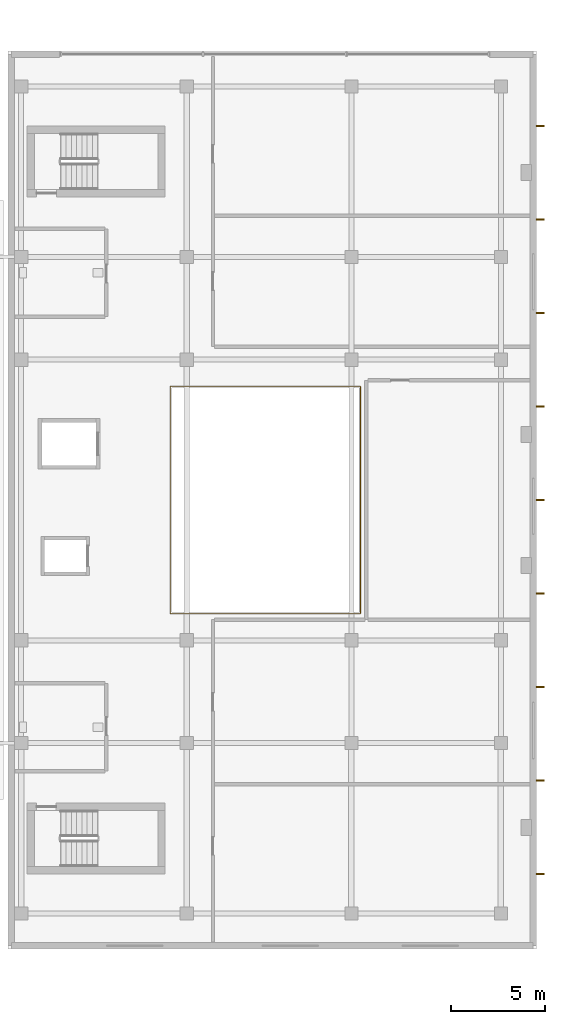
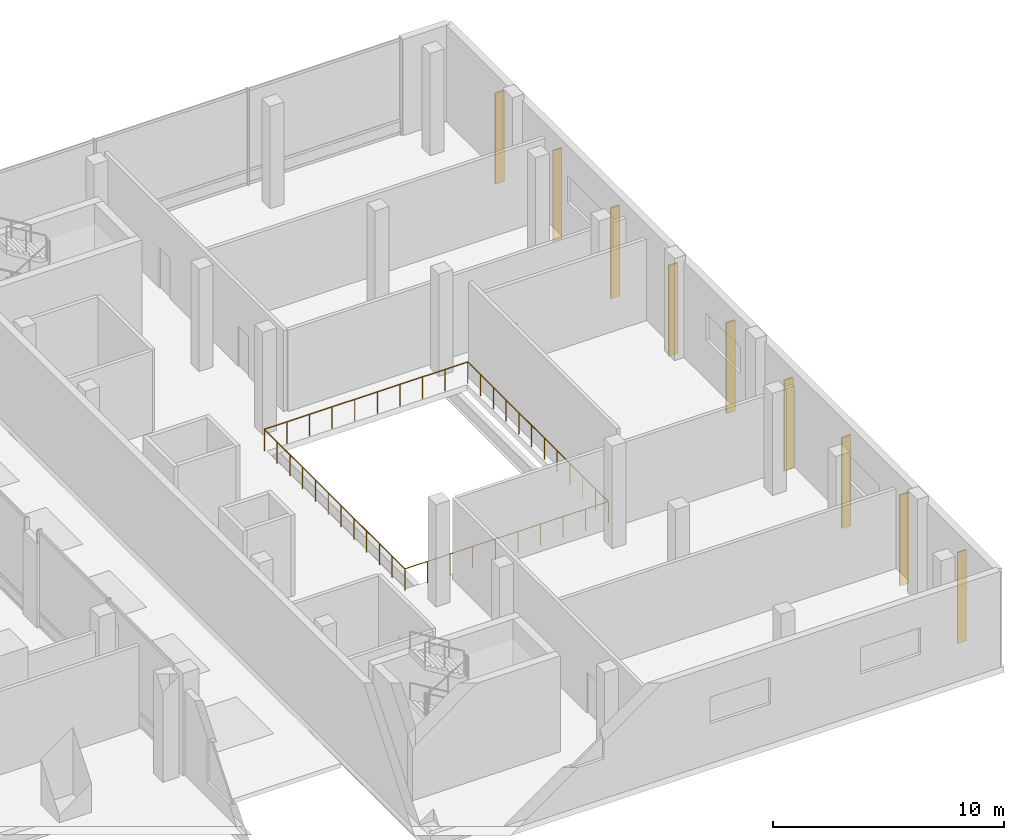
# One storey, part 35 of 36: 9 shading devices, 1 railing.
"""IFC4 building model written with IfcOpenShell, lengths in metres."""

from ifc_helpers import new_model, si_unit, direction, frame, origin, origin_2d, place, context, subcontext, project, spatial, rectangle, circle, extrude, material, type_object, element, save


model = new_model("IFC4")

# Units and contexts
model_context = context("Model", 3, precision=1e-05, world=origin(), true_north=direction((0.0, 1.0)))
body_context = subcontext(model_context, "Body", "Model", "MODEL_VIEW")
ifc_project = project(units=[si_unit("LENGTHUNIT", "METRE"), si_unit("AREAUNIT", "SQUARE_METRE"), si_unit("VOLUMEUNIT", "CUBIC_METRE"), si_unit("PLANEANGLEUNIT", "RADIAN"), si_unit("MASSUNIT", "GRAM", prefix="KILO")], contexts=[model_context])

# Site, building, storey
site_placement = place(None, origin())
site = spatial("IfcSite", under=ifc_project, at=site_placement, CompositionType="ELEMENT")
building_placement = place(site_placement, origin())
building = spatial("IfcBuilding", under=site, at=building_placement, Name="Barlavira Tower and Art Museum", CompositionType="ELEMENT")
storey_placement = place(building_placement, frame((0.0, 0.0, 11.39990234375)))
storey = spatial("IfcBuildingStorey", under=building, at=storey_placement, Name="L02", CompositionType="ELEMENT", Elevation=11.39990234375)

# Railing
ifc_material_1 = material(Name="Brushed stainless steel", Category="steel")
railing_type = type_object("IfcRailingType", Name="Interior Void and Landing Guard Railing 1150", PredefinedType="GUARDRAIL", material=ifc_material_1)
railing_placement = place(storey_placement, frame((37.919921875, -6.080078125, 0.0)))
element("IfcRailing", 1, at=railing_placement, inside=storey, type_object=railing_type, Name="L02 Museum Daylight Atrium Balustrade", PredefinedType="GUARDRAIL", context=body_context, shape_type="SweptSolid", body=[
    extrude(circle(Radius=0.02392578125, at=origin_2d()), frame((0.0, 0.0, 1.1259765625), z_axis=(1.0, 0.0, 0.0), x_axis=(0.0, 1.0, 0.0)), (0.0, 0.0, 1.0), 10.16015625),
    extrude(circle(Radius=0.02392578125, at=origin_2d()), frame((10.16015625, 0.0, 1.1259765625), z_axis=(0.0, 1.0, 0.0), x_axis=(-1.0, 0.0, 0.0)), (0.0, 0.0, 1.0), 12.16015625),
    extrude(circle(Radius=0.02392578125, at=origin_2d()), frame((10.16015625, 12.16015625, 1.1259765625), z_axis=(-1.0, 0.0, 0.0), x_axis=(0.0, -1.0, 0.0)), (0.0, 0.0, 1.0), 10.16015625),
    extrude(circle(Radius=0.02392578125, at=origin_2d()), frame((0.0, 12.16015625, 1.1259765625), z_axis=(0.0, -1.0, 0.0), x_axis=(1.0, 0.0, 0.0)), (0.0, 0.0, 1.0), 12.16015625),
    extrude(circle(Radius=0.02099609375, at=origin_2d()), origin(), (0.0, 0.0, 1.0), 1.101806640625),
    extrude(circle(Radius=0.02099609375, at=origin_2d()), frame((1.12890625, 0.0, 0.0)), (0.0, 0.0, 1.0), 1.101806640625),
    extrude(circle(Radius=0.02099609375, at=origin_2d()), frame((2.2578125, 0.0, 0.0)), (0.0, 0.0, 1.0), 1.101806640625),
    extrude(circle(Radius=0.02099609375, at=origin_2d()), frame((3.38671875, 0.0, 0.0)), (0.0, 0.0, 1.0), 1.101806640625),
    extrude(circle(Radius=0.02099609375, at=origin_2d()), frame((4.515625, 0.0, 0.0)), (0.0, 0.0, 1.0), 1.101806640625),
    extrude(circle(Radius=0.02099609375, at=origin_2d()), frame((5.64453125, 0.0, 0.0)), (0.0, 0.0, 1.0), 1.101806640625),
    extrude(circle(Radius=0.02099609375, at=origin_2d()), frame((6.7734375, 0.0, 0.0)), (0.0, 0.0, 1.0), 1.101806640625),
    extrude(circle(Radius=0.02099609375, at=origin_2d()), frame((7.90234375, 0.0, 0.0)), (0.0, 0.0, 1.0), 1.101806640625),
    extrude(circle(Radius=0.02099609375, at=origin_2d()), frame((9.03125, 0.0, 0.0)), (0.0, 0.0, 1.0), 1.101806640625),
    extrude(circle(Radius=0.02099609375, at=origin_2d()), frame((10.16015625, 0.0, 0.0)), (0.0, 0.0, 1.0), 1.101806640625),
    extrude(circle(Radius=0.02099609375, at=origin_2d()), frame((10.16015625, 1.10546875, 0.0)), (0.0, 0.0, 1.0), 1.101806640625),
    extrude(circle(Radius=0.02099609375, at=origin_2d()), frame((10.16015625, 2.2109375, 0.0)), (0.0, 0.0, 1.0), 1.101806640625),
    extrude(circle(Radius=0.02099609375, at=origin_2d()), frame((10.16015625, 3.31640625, 0.0)), (0.0, 0.0, 1.0), 1.101806640625),
    extrude(circle(Radius=0.02099609375, at=origin_2d()), frame((10.16015625, 4.421875, 0.0)), (0.0, 0.0, 1.0), 1.101806640625),
    extrude(circle(Radius=0.02099609375, at=origin_2d()), frame((10.16015625, 5.52734375, 0.0)), (0.0, 0.0, 1.0), 1.101806640625),
    extrude(circle(Radius=0.02099609375, at=origin_2d()), frame((10.16015625, 6.6328125, 0.0)), (0.0, 0.0, 1.0), 1.101806640625),
    extrude(circle(Radius=0.02099609375, at=origin_2d()), frame((10.16015625, 7.73828125, 0.0)), (0.0, 0.0, 1.0), 1.101806640625),
    extrude(circle(Radius=0.02099609375, at=origin_2d()), frame((10.16015625, 8.84375, 0.0)), (0.0, 0.0, 1.0), 1.101806640625),
    extrude(circle(Radius=0.02099609375, at=origin_2d()), frame((10.16015625, 9.94921875, 0.0)), (0.0, 0.0, 1.0), 1.101806640625),
    extrude(circle(Radius=0.02099609375, at=origin_2d()), frame((10.16015625, 11.0546875, 0.0)), (0.0, 0.0, 1.0), 1.101806640625),
    extrude(circle(Radius=0.02099609375, at=origin_2d()), frame((10.16015625, 12.16015625, 0.0)), (0.0, 0.0, 1.0), 1.101806640625),
    extrude(circle(Radius=0.02099609375, at=origin_2d()), frame((9.03125, 12.16015625, 0.0)), (0.0, 0.0, 1.0), 1.101806640625),
    extrude(circle(Radius=0.02099609375, at=origin_2d()), frame((7.90234375, 12.16015625, 0.0)), (0.0, 0.0, 1.0), 1.101806640625),
    extrude(circle(Radius=0.02099609375, at=origin_2d()), frame((6.7734375, 12.16015625, 0.0)), (0.0, 0.0, 1.0), 1.101806640625),
    extrude(circle(Radius=0.02099609375, at=origin_2d()), frame((5.64453125, 12.16015625, 0.0)), (0.0, 0.0, 1.0), 1.101806640625),
    extrude(circle(Radius=0.02099609375, at=origin_2d()), frame((4.515625, 12.16015625, 0.0)), (0.0, 0.0, 1.0), 1.101806640625),
    extrude(circle(Radius=0.02099609375, at=origin_2d()), frame((3.38671875, 12.16015625, 0.0)), (0.0, 0.0, 1.0), 1.101806640625),
    extrude(circle(Radius=0.02099609375, at=origin_2d()), frame((2.2578125, 12.16015625, 0.0)), (0.0, 0.0, 1.0), 1.101806640625),
    extrude(circle(Radius=0.02099609375, at=origin_2d()), frame((1.12890625, 12.16015625, 0.0)), (0.0, 0.0, 1.0), 1.101806640625),
    extrude(circle(Radius=0.02099609375, at=origin_2d()), frame((0.0, 12.16015625, 0.0)), (0.0, 0.0, 1.0), 1.101806640625),
    extrude(circle(Radius=0.02099609375, at=origin_2d()), frame((0.0, 11.0546875, 0.0)), (0.0, 0.0, 1.0), 1.101806640625),
    extrude(circle(Radius=0.02099609375, at=origin_2d()), frame((0.0, 9.94921875, 0.0)), (0.0, 0.0, 1.0), 1.101806640625),
    extrude(circle(Radius=0.02099609375, at=origin_2d()), frame((0.0, 8.84375, 0.0)), (0.0, 0.0, 1.0), 1.101806640625),
    extrude(circle(Radius=0.02099609375, at=origin_2d()), frame((0.0, 7.73828125, 0.0)), (0.0, 0.0, 1.0), 1.101806640625),
    extrude(circle(Radius=0.02099609375, at=origin_2d()), frame((0.0, 6.6328125, 0.0)), (0.0, 0.0, 1.0), 1.101806640625),
    extrude(circle(Radius=0.02099609375, at=origin_2d()), frame((0.0, 5.52734375, 0.0)), (0.0, 0.0, 1.0), 1.101806640625),
    extrude(circle(Radius=0.02099609375, at=origin_2d()), frame((0.0, 4.421875, 0.0)), (0.0, 0.0, 1.0), 1.101806640625),
    extrude(circle(Radius=0.02099609375, at=origin_2d()), frame((0.0, 3.31640625, 0.0)), (0.0, 0.0, 1.0), 1.101806640625),
    extrude(circle(Radius=0.02099609375, at=origin_2d()), frame((0.0, 2.2109375, 0.0)), (0.0, 0.0, 1.0), 1.101806640625),
    extrude(circle(Radius=0.02099609375, at=origin_2d()), frame((0.0, 1.10546875, 0.0)), (0.0, 0.0, 1.0), 1.101806640625),
])

# Shading devices
ifc_material_2 = material(Name="Pale anodised aluminium", Category="aluminium")
shading_device_type = type_object("IfcShadingDeviceType", Name="Museum Vertical Pale-Metal Brise-Soleil Fin 450x80", PredefinedType="SHUTTER", material=ifc_material_2)
for number, where, z_axis, x_axis, name in (
    (2, (57.699951171875, -20.0, -1.19970703125), (0.0, 0.0, 1.0), (1.0, 0.0, 0.0), "Museum Coastal Brise-Soleil Vertical Fin 1"),
    (3, (57.699951171875, -15.0, -1.19970703125), (0.0, 0.0, 1.0), (1.0, 0.0, 0.0), "Museum Coastal Brise-Soleil Vertical Fin 2"),
    (4, (57.699951171875, -10.0, -1.19970703125), (0.0, 0.0, 1.0), (1.0, 0.0, 0.0), "Museum Coastal Brise-Soleil Vertical Fin 3"),
    (5, (57.699951171875, -5.0, -1.19970703125), (0.0, 0.0, 1.0), (1.0, 0.0, 0.0), "Museum Coastal Brise-Soleil Vertical Fin 4"),
    (6, (57.699951171875, 0.0, -1.19970703125), (0.0, 0.0, 1.0), (1.0, 0.0, 0.0), "Museum Coastal Brise-Soleil Vertical Fin 5"),
    (7, (57.699951171875, 5.0, -1.19970703125), (0.0, 0.0, 1.0), (1.0, 0.0, 0.0), "Museum Coastal Brise-Soleil Vertical Fin 6"),
    (8, (57.699951171875, 10.0, -1.19970703125), (0.0, 0.0, 1.0), (1.0, 0.0, 0.0), "Museum Coastal Brise-Soleil Vertical Fin 7"),
    (9, (57.699951171875, 15.0, -1.19970703125), (0.0, 0.0, 1.0), (1.0, 0.0, 0.0), "Museum Coastal Brise-Soleil Vertical Fin 8"),
    (10, (57.699951171875, 20.0, -1.19970703125), (0.0, 0.0, 1.0), (1.0, 0.0, 0.0), "Museum Coastal Brise-Soleil Vertical Fin 9"),
):
    element("IfcShadingDevice", number, at=place(storey_placement, frame(where, z_axis=z_axis, x_axis=x_axis)), inside=storey, type_object=shading_device_type, Name=name, PredefinedType="SHUTTER", context=body_context, shape_type="SweptSolid", body=[
        extrude(rectangle(XDim=0.449951171875, YDim=0.080078125, at=origin_2d()), origin(), (0.0, 0.0, 1.0), 4.800048828125),
    ])

save(model, "model.ifc")
